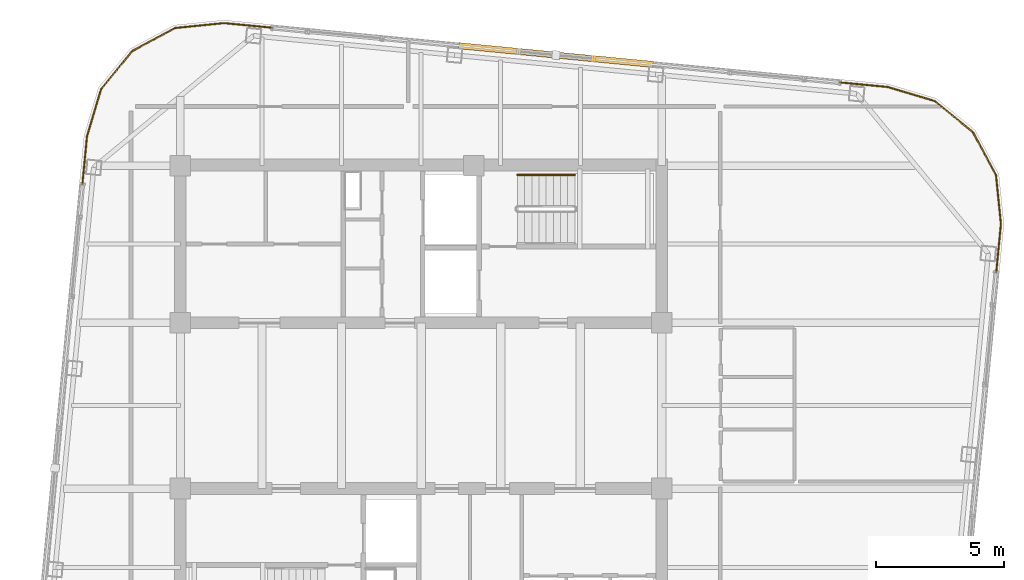
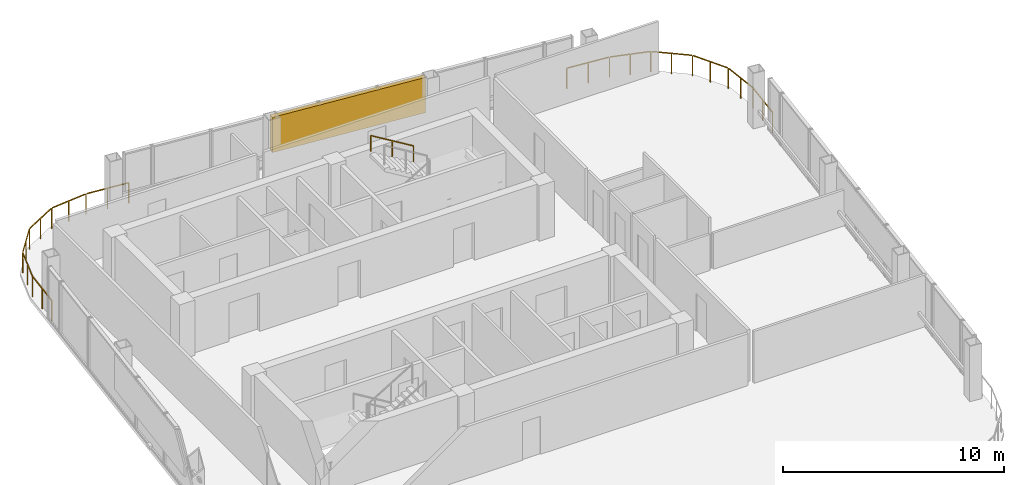
# One storey, part 26 of 26: 3 railings, 1 shading device.
"""IFC4 building model written with IfcOpenShell, lengths in metres."""

from ifc_helpers import new_model, si_unit, direction, frame, origin, origin_2d, place, context, subcontext, project, spatial, rectangle, extrude, material, type_object, element, save


model = new_model("IFC4")

# Units and contexts
model_context = context("Model", 3, precision=1e-05, world=origin(), true_north=direction((0.0, 1.0)))
body_context = subcontext(model_context, "Body", "Model", "MODEL_VIEW")
ifc_project = project(units=[si_unit("LENGTHUNIT", "METRE"), si_unit("AREAUNIT", "SQUARE_METRE"), si_unit("VOLUMEUNIT", "CUBIC_METRE"), si_unit("PLANEANGLEUNIT", "RADIAN"), si_unit("MASSUNIT", "GRAM", prefix="KILO")], contexts=[model_context])

# Site, building, storey
site_placement = place(None, origin())
site = spatial("IfcSite", under=ifc_project, at=site_placement, CompositionType="ELEMENT")
building_placement = place(site_placement, origin())
building = spatial("IfcBuilding", under=site, at=building_placement, Name="Qhalaya Broadcast Tower", CompositionType="ELEMENT")
storey_placement = place(building_placement, frame((0.0, 0.0, 248.949951171875)))
storey = spatial("IfcBuildingStorey", under=building, at=storey_placement, Name="L73", CompositionType="ELEMENT", Elevation=248.949951171875)

# Railings
ifc_material_1 = material(Name="Powder-Coated Galvanised Steel", Category="steel")
railing_type_1 = type_object("IfcRailingType", Name="Stair Wall Handrail 900", PredefinedType="HANDRAIL", material=ifc_material_1)
railing_1_placement = place(storey_placement, frame((5.989990234375, 9.590087890625, 1.694580078125)))
element("IfcRailing", 1, at=railing_1_placement, inside=storey, type_object=railing_type_1, Name="L73 ST-1 Stair Handrail 2", PredefinedType="HANDRAIL", context=body_context, shape_type="SweptSolid", body=[
    extrude(rectangle(XDim=0.048095703125, YDim=0.048095703125, at=origin_2d()), frame((0.0, 0.0, 0.8759765625), z_axis=(-0.855553338991, 0.0, 0.51771467445), x_axis=(0.0, -1.0, 0.0)), (0.0, 0.0, 1.0), 2.6181640625),
    extrude(rectangle(XDim=0.0419921875, YDim=0.0419921875, at=origin_2d()), origin(), (0.0, 0.0, 1.0), 0.849853515625),
    extrude(rectangle(XDim=0.0419921875, YDim=0.0419921875, at=origin_2d()), frame((-1.1201171875, 0.0, 0.677734375)), (0.0, 0.0, 1.0), 0.849853515625),
    extrude(rectangle(XDim=0.0419921875, YDim=0.0419921875, at=origin_2d()), frame((-2.239990234375, 0.0, 1.35546875)), (0.0, 0.0, 1.0), 0.849853515625),
])
railing_type_2 = type_object("IfcRailingType", Name="Terrace, Sky-Pool & Lookout Glass Balustrade 1150", PredefinedType="BALUSTRADE", material=ifc_material_1)
railing_2_placement = place(storey_placement, frame((-13.2158203125, 8.99365234375, 0.0)))
element("IfcRailing", 2, at=railing_2_placement, inside=storey, type_object=railing_type_2, Name="L73 Rounded Corner Perimeter Guard 03", PredefinedType="BALUSTRADE", context=body_context, shape_type="SweptSolid", body=[
    extrude(rectangle(XDim=0.048095703125, YDim=0.048095703125, at=origin_2d()), frame((0.0, 0.0, 1.1259765625), z_axis=(0.095896889673, 0.995391273094, 0.0), x_axis=(-0.995391273094, 0.095896889673, 0.0)), (0.0, 0.0, 1.0), 2.08935546875),
    extrude(rectangle(XDim=0.048095703125, YDim=0.048095703125, at=origin_2d()), frame((0.21142578125, 2.135986328125, 1.1259765625), z_axis=(0.288096282124, 0.957601447485, 0.0), x_axis=(-0.957601447485, 0.288096282124, 0.0)), (0.0, 0.0, 1.0), 1.857421875),
    extrude(rectangle(XDim=0.048095703125, YDim=0.048095703125, at=origin_2d()), frame((0.773193359375, 3.96484375, 1.1259765625), z_axis=(0.63274871945, 0.774357190213, 0.0), x_axis=(-0.774357190213, 0.63274871945, 0.0)), (0.0, 0.0, 1.0), 1.845703125),
    extrude(rectangle(XDim=0.048095703125, YDim=0.048095703125, at=origin_2d()), frame((1.984619140625, 5.429931640625, 1.1259765625), z_axis=(0.880878554058, 0.473342342286, 0.0), x_axis=(-0.473342342286, 0.880878554058, 0.0)), (0.0, 0.0, 1.0), 1.845458984375),
    extrude(rectangle(XDim=0.048095703125, YDim=0.048095703125, at=origin_2d()), frame((3.66455078125, 6.320068359375, 1.1259765625), z_axis=(0.994980230152, 0.100071682341, 0.0), x_axis=(-0.100071682341, 0.994980230152, 0.0)), (0.0, 0.0, 1.0), 1.857421875),
    extrude(rectangle(XDim=0.048095703125, YDim=0.048095703125, at=origin_2d()), frame((5.570068359375, 6.506103515625, 1.1259765625), z_axis=(0.995402268864, -0.095782687057, 0.0), x_axis=(0.095782687057, 0.995402268864, 0.0)), (0.0, 0.0, 1.0), 2.08935546875),
    extrude(rectangle(XDim=0.0419921875, YDim=0.0419921875, at=origin_2d()), origin(), (0.0, 0.0, 1.0), 1.099853515625),
    extrude(rectangle(XDim=0.0419921875, YDim=0.0419921875, at=origin_2d()), frame((0.1015625, 1.05419921875, 0.0)), (0.0, 0.0, 1.0), 1.099853515625),
    extrude(rectangle(XDim=0.0419921875, YDim=0.0419921875, at=origin_2d()), frame((0.203125, 2.1083984375, 0.0)), (0.0, 0.0, 1.0), 1.099853515625),
    extrude(rectangle(XDim=0.0419921875, YDim=0.0419921875, at=origin_2d()), frame((0.47900390625, 3.025390625, 0.0)), (0.0, 0.0, 1.0), 1.099853515625),
    extrude(rectangle(XDim=0.0419921875, YDim=0.0419921875, at=origin_2d()), frame((0.7548828125, 3.9423828125, 0.0)), (0.0, 0.0, 1.0), 1.099853515625),
    extrude(rectangle(XDim=0.0419921875, YDim=0.0419921875, at=origin_2d()), frame((1.35693359375, 4.67919921875, 0.0)), (0.0, 0.0, 1.0), 1.099853515625),
    extrude(rectangle(XDim=0.0419921875, YDim=0.0419921875, at=origin_2d()), frame((1.959228515625, 5.416259765625, 0.0)), (0.0, 0.0, 1.0), 1.099853515625),
    extrude(rectangle(XDim=0.0419921875, YDim=0.0419921875, at=origin_2d()), frame((2.79736328125, 5.86669921875, 0.0)), (0.0, 0.0, 1.0), 1.099853515625),
    extrude(rectangle(XDim=0.0419921875, YDim=0.0419921875, at=origin_2d()), frame((3.6357421875, 6.317138671875, 0.0)), (0.0, 0.0, 1.0), 1.099853515625),
    extrude(rectangle(XDim=0.0419921875, YDim=0.0419921875, at=origin_2d()), frame((4.58837890625, 6.4130859375, 0.0)), (0.0, 0.0, 1.0), 1.099853515625),
    extrude(rectangle(XDim=0.0419921875, YDim=0.0419921875, at=origin_2d()), frame((5.541259765625, 6.5087890625, 0.0)), (0.0, 0.0, 1.0), 1.099853515625),
    extrude(rectangle(XDim=0.0419921875, YDim=0.0419921875, at=origin_2d()), frame((6.595458984375, 6.4072265625, 0.0)), (0.0, 0.0, 1.0), 1.099853515625),
    extrude(rectangle(XDim=0.0419921875, YDim=0.0419921875, at=origin_2d()), frame((7.649658203125, 6.305908203125, 0.0)), (0.0, 0.0, 1.0), 1.099853515625),
])
railing_3_placement = place(storey_placement, frame((16.07373046875, 13.2158203125, 0.0)))
element("IfcRailing", 3, at=railing_3_placement, inside=storey, type_object=railing_type_2, Name="L73 Rounded Corner Perimeter Guard 04", PredefinedType="BALUSTRADE", context=body_context, shape_type="SweptSolid", body=[
    extrude(rectangle(XDim=0.048095703125, YDim=0.048095703125, at=origin_2d()), frame((0.0, 0.0, 1.1259765625), z_axis=(0.995391273094, -0.095896889673, 0.0), x_axis=(0.095896889673, 0.995391273094, 0.0)), (0.0, 0.0, 1.0), 2.08935546875),
    extrude(rectangle(XDim=0.048095703125, YDim=0.048095703125, at=origin_2d()), frame((2.135986328125, -0.21142578125, 1.1259765625), z_axis=(0.957601447485, -0.288096282124, 0.0), x_axis=(0.288096282124, 0.957601447485, 0.0)), (0.0, 0.0, 1.0), 1.857421875),
    extrude(rectangle(XDim=0.048095703125, YDim=0.048095703125, at=origin_2d()), frame((3.96484375, -0.773193359375, 1.1259765625), z_axis=(0.774357190213, -0.63274871945, 0.0), x_axis=(0.63274871945, 0.774357190213, 0.0)), (0.0, 0.0, 1.0), 1.845703125),
    extrude(rectangle(XDim=0.048095703125, YDim=0.048095703125, at=origin_2d()), frame((5.429931640625, -1.984619140625, 1.1259765625), z_axis=(0.473242797018, -0.880932037714, 0.0), x_axis=(0.880932037714, 0.473242797018, 0.0)), (0.0, 0.0, 1.0), 1.845458984375),
    extrude(rectangle(XDim=0.048095703125, YDim=0.048095703125, at=origin_2d()), frame((6.31982421875, -3.66455078125, 1.1259765625), z_axis=(0.100197883148, -0.994967529225, 0.0), x_axis=(0.994967529225, 0.100197883148, 0.0)), (0.0, 0.0, 1.0), 1.857421875),
    extrude(rectangle(XDim=0.048095703125, YDim=0.048095703125, at=origin_2d()), frame((6.506103515625, -5.570068359375, 1.1259765625), z_axis=(-0.095896889673, -0.995391273094, 0.0), x_axis=(0.995391273094, -0.095896889673, 0.0)), (0.0, 0.0, 1.0), 2.08935546875),
    extrude(rectangle(XDim=0.0419921875, YDim=0.0419921875, at=origin_2d()), origin(), (0.0, 0.0, 1.0), 1.099853515625),
    extrude(rectangle(XDim=0.0419921875, YDim=0.0419921875, at=origin_2d()), frame((1.05419921875, -0.1015625, 0.0)), (0.0, 0.0, 1.0), 1.099853515625),
    extrude(rectangle(XDim=0.0419921875, YDim=0.0419921875, at=origin_2d()), frame((2.1083984375, -0.203125, 0.0)), (0.0, 0.0, 1.0), 1.099853515625),
    extrude(rectangle(XDim=0.0419921875, YDim=0.0419921875, at=origin_2d()), frame((3.025390625, -0.47900390625, 0.0)), (0.0, 0.0, 1.0), 1.099853515625),
    extrude(rectangle(XDim=0.0419921875, YDim=0.0419921875, at=origin_2d()), frame((3.9423828125, -0.7548828125, 0.0)), (0.0, 0.0, 1.0), 1.099853515625),
    extrude(rectangle(XDim=0.0419921875, YDim=0.0419921875, at=origin_2d()), frame((4.67919921875, -1.35693359375, 0.0)), (0.0, 0.0, 1.0), 1.099853515625),
    extrude(rectangle(XDim=0.0419921875, YDim=0.0419921875, at=origin_2d()), frame((5.416259765625, -1.959228515625, 0.0)), (0.0, 0.0, 1.0), 1.099853515625),
    extrude(rectangle(XDim=0.0419921875, YDim=0.0419921875, at=origin_2d()), frame((5.86669921875, -2.79736328125, 0.0)), (0.0, 0.0, 1.0), 1.099853515625),
    extrude(rectangle(XDim=0.0419921875, YDim=0.0419921875, at=origin_2d()), frame((6.31689453125, -3.6357421875, 0.0)), (0.0, 0.0, 1.0), 1.099853515625),
    extrude(rectangle(XDim=0.0419921875, YDim=0.0419921875, at=origin_2d()), frame((6.412841796875, -4.58837890625, 0.0)), (0.0, 0.0, 1.0), 1.099853515625),
    extrude(rectangle(XDim=0.0419921875, YDim=0.0419921875, at=origin_2d()), frame((6.5087890625, -5.541259765625, 0.0)), (0.0, 0.0, 1.0), 1.099853515625),
    extrude(rectangle(XDim=0.0419921875, YDim=0.0419921875, at=origin_2d()), frame((6.4072265625, -6.595458984375, 0.0)), (0.0, 0.0, 1.0), 1.099853515625),
    extrude(rectangle(XDim=0.0419921875, YDim=0.0419921875, at=origin_2d()), frame((6.3056640625, -7.649658203125, 0.0)), (0.0, 0.0, 1.0), 1.099853515625),
])

# Shading device
ifc_material_2 = material(Name="Fired Architectural Terracotta", Category="masonry")
shading_device_type = type_object("IfcShadingDeviceType", Name="Terracotta Baguette Solar Screen Assembly TBS-01", PredefinedType="USERDEFINED", material=ifc_material_2)
shading_device_placement = place(storey_placement, frame((5.25390625, 14.2578125, 0.80078125), z_axis=(0.0, 0.0, 1.0), x_axis=(-0.995396198367, 0.09584575252, 0.0)))
element("IfcShadingDevice", 4, at=shading_device_placement, inside=storey, type_object=shading_device_type, Name="L73 Fired Terracotta Baguette Screen N", ObjectType="BAGUETTE", PredefinedType="USERDEFINED", context=body_context, shape_type="SweptSolid", body=[
    extrude(rectangle(XDim=7.60009765625, YDim=0.239990234375, at=origin_2d()), origin(), (0.0, 0.0, 1.0), 1.945068359375),
])

save(model, "model.ifc")
